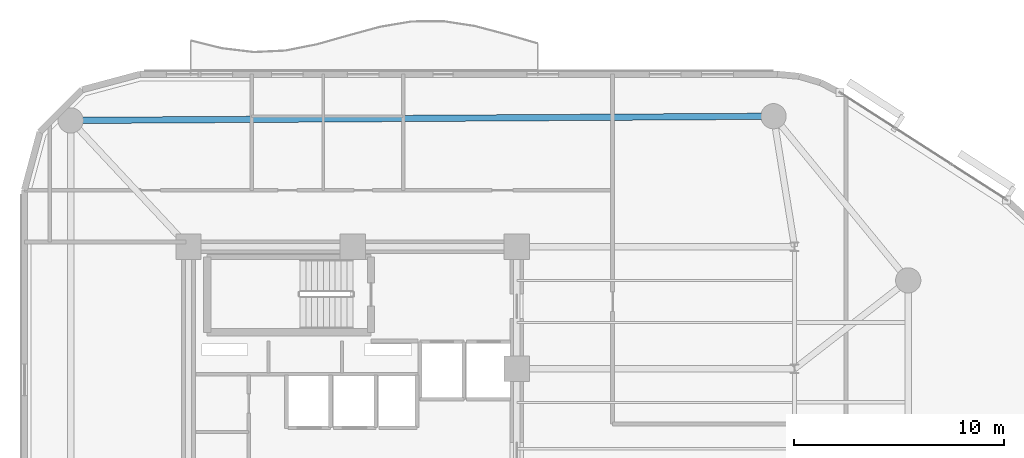
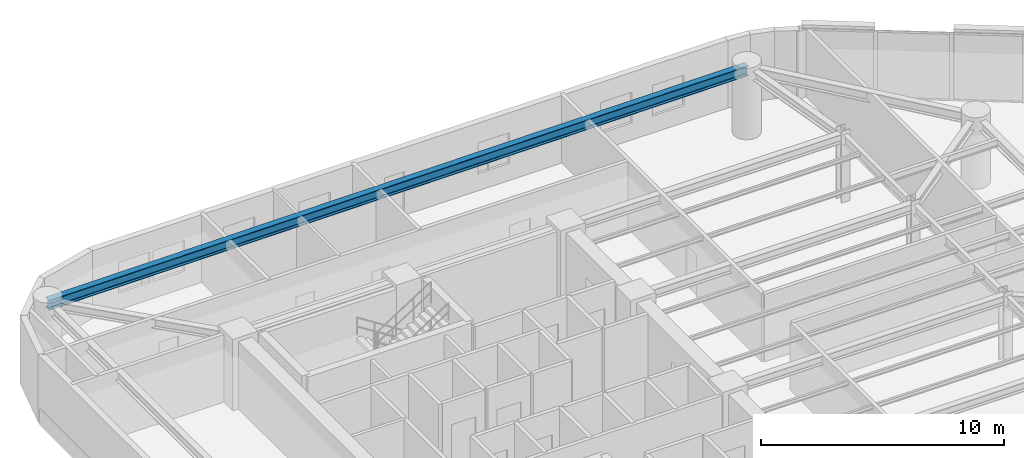
# One storey, part 7 of 14: 1 beam.
"""IFC4 building model written with IfcOpenShell, lengths in metres."""

from ifc_helpers import new_model, si_unit, direction, frame, origin, origin_2d, place, context, subcontext, project, spatial, i_section, extrude, material, material_profile, profile_set, type_object, element, save


model = new_model("IFC4")

# Units and contexts
model_context = context("Model", 3, precision=1e-05, world=origin(), true_north=direction((0.0, 1.0)))
body_context = subcontext(model_context, "Body", "Model", "MODEL_VIEW")
ifc_project = project(units=[si_unit("LENGTHUNIT", "METRE"), si_unit("AREAUNIT", "SQUARE_METRE"), si_unit("VOLUMEUNIT", "CUBIC_METRE"), si_unit("PLANEANGLEUNIT", "RADIAN"), si_unit("MASSUNIT", "GRAM", prefix="KILO")], contexts=[model_context])

# Site, building, storey
site_placement = place(None, origin())
site = spatial("IfcSite", under=ifc_project, at=site_placement, CompositionType="ELEMENT")
building_placement = place(site_placement, origin())
building = spatial("IfcBuilding", under=site, at=building_placement, Name="An Khanh Terracotta Commons", CompositionType="ELEMENT")
storey_placement = place(building_placement, frame((0.0, 0.0, 158.199951171875)))
storey = spatial("IfcBuildingStorey", under=building, at=storey_placement, Name="L41", CompositionType="ELEMENT", Elevation=158.199951171875)

# Beam
ifc_material = material(Name="Steel S355J2", Category="steel")
ifc_material_profile = material_profile(ifc_material, i_section(OverallWidth=0.300048828125, OverallDepth=0.5, WebThickness=0.014404296875, FlangeThickness=0.028076171875, FilletRadius=0.027099609375, at=origin_2d()), Name="HEB500")
ifc_profile_set = profile_set([ifc_material_profile], Name="Steel S355J2")
beam_type = type_object("IfcBeamType", Name="BM-HEB500", PredefinedType="BEAM", material=ifc_profile_set)
beam_placement = place(storey_placement, frame((49.39990234375, 39.800048828125, 3.150146484375), z_axis=(-0.999982080914, -0.005986472262, 0.0), x_axis=(0.005986472262, -0.999982080914, 0.0)))
element("IfcBeam", 1, at=beam_placement, inside=storey, type_object=beam_type, Name="L41 Perimeter Ring Spandrel 5", PredefinedType="BEAM", context=body_context, shape_type="SweptSolid", body=[
    extrude(i_section(OverallWidth=0.300048828125, OverallDepth=0.5, WebThickness=0.014404296875, FlangeThickness=0.028076171875, FilletRadius=0.027099609375, at=origin_2d()), origin(), (0.0, 0.0, 1.0), 33.400390625),
])

save(model, "model.ifc")
